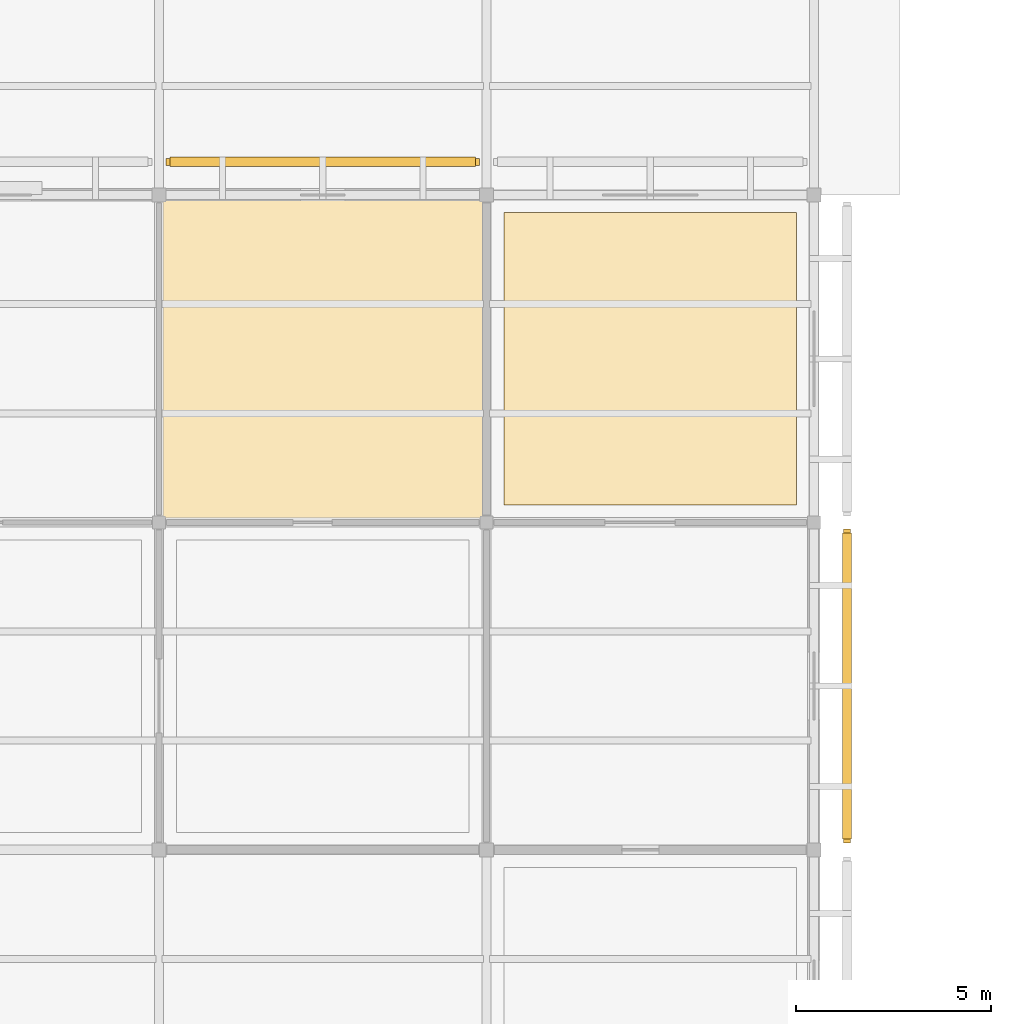
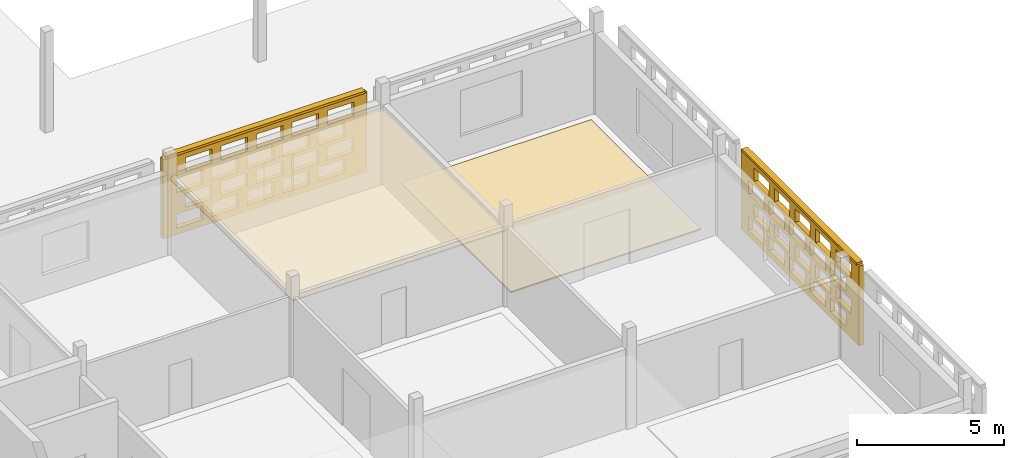
# One storey, part 83 of 103: 4 coverings, 2 shading devices, 40 openings.
"""IFC4 building model written with IfcOpenShell, lengths in metres."""

from ifc_helpers import new_model, si_unit, direction, frame, frame_2d, origin, origin_2d, place, context, subcontext, project, spatial, rectangle, extrude, material, layer, layer_set, type_object, element, save


model = new_model("IFC4")

# Units and contexts
model_context = context("Model", 3, precision=1e-05, world=origin(), true_north=direction((0.0, 1.0)))
body_context = subcontext(model_context, "Body", "Model", "MODEL_VIEW")
ifc_project = project(units=[si_unit("LENGTHUNIT", "METRE"), si_unit("AREAUNIT", "SQUARE_METRE"), si_unit("VOLUMEUNIT", "CUBIC_METRE"), si_unit("PLANEANGLEUNIT", "RADIAN"), si_unit("MASSUNIT", "GRAM", prefix="KILO")], contexts=[model_context])

# Site, building, storey
site_placement = place(None, origin())
site = spatial("IfcSite", under=ifc_project, at=site_placement, CompositionType="ELEMENT")
building_placement = place(site_placement, origin())
building = spatial("IfcBuilding", under=site, at=building_placement, Name="Varnapada Polytechnic", CompositionType="ELEMENT")
storey_placement = place(building_placement, frame((0.0, 0.0, 18.0)))
storey = spatial("IfcBuildingStorey", under=building, at=storey_placement, Name="L04", CompositionType="ELEMENT", Elevation=18.0)

# Coverings
ifc_material_1 = material(Name="End-Grain Timber Studio Block Flooring", Category="wood")
ifc_layer_1 = layer(ifc_material_1, 0.054931640625)
ifc_layer_set_1 = layer_set([ifc_layer_1], Name="End-Grain Timber Studio Block Flooring")
covering_type_1 = type_object("IfcCoveringType", Name="Floor Finish FLR-04", PredefinedType="FLOORING", material=ifc_layer_set_1)
covering_1_placement = place(storey_placement, frame((46.199951171875, 29.39990234375, 0.0), z_axis=(0.0, 0.0, 1.0), x_axis=(1.0, 0.0, 0.0)))
element("IfcCovering", 1, at=covering_1_placement, inside=storey, type_object=covering_type_1, Name="L04 floor finish panel (6,4)", PredefinedType="FLOORING", context=body_context, shape_type="SweptSolid", body=[
    extrude(rectangle(XDim=7.5, YDim=7.5, at=origin_2d()), origin(), (0.0, 0.0, 1.0), 0.054931640625),
])
ifc_material_2 = material(Name="Mineral Fibre Acoustic Ceiling Tile")
ifc_layer_2 = layer(ifc_material_2, 0.0400390625)
ifc_layer_set_2 = layer_set([ifc_layer_2], Name="Mineral Fibre Acoustic Ceiling Tile")
covering_type_2 = type_object("IfcCoveringType", Name="Suspended Ceiling CLG-01", PredefinedType="CEILING", material=ifc_layer_set_2)
covering_2_placement = place(storey_placement, frame((37.800048828125, 29.39990234375, 3.030029296875), z_axis=(0.0, 0.0, 1.0), x_axis=(1.0, 0.0, 0.0)))
element("IfcCovering", 2, at=covering_2_placement, inside=storey, type_object=covering_type_2, Name="L04 suspended acoustic ceiling (5,4)", PredefinedType="CEILING", context=body_context, shape_type="SweptSolid", body=[
    extrude(rectangle(XDim=8.419921875, YDim=8.419921875, at=origin_2d()), origin(), (0.0, 0.0, 1.0), 0.0400390625),
])

# Covering, openings
ifc_material_3 = material(Name="Earth-toned architectural terracotta screen block", Category="masonry")
ifc_layer_3 = layer(ifc_material_3, 0.1201171875)
ifc_layer_set_3 = layer_set([ifc_layer_3], Name="Earth-toned architectural terracotta screen block")
covering_type_3 = type_object("IfcCoveringType", Name="Terracotta Screen Cladding CLD-01", PredefinedType="CLADDING", material=ifc_layer_set_3)
covering_3_placement = place(storey_placement, frame((33.780029296875, 34.449951171875, 0.0), z_axis=(0.0, 0.0, 1.0), x_axis=(1.0, 0.0, 0.0)))
covering_3 = element("IfcCovering", 3, at=covering_3_placement, inside=storey, type_object=covering_type_3, Name="L04 perforated terracotta block screen (35)", PredefinedType="CLADDING", context=body_context, shape_type="SweptSolid", body=[
    extrude(rectangle(XDim=8.0400390625, YDim=0.179931640625, at=frame_2d((4.02001953125, 0.0))), origin(), (0.0, 0.0, 1.0), 3.320068359375),
])
opening_1_placement = place(covering_3_placement, frame((0.52001953125, 0.0, 0.265625)))
element("IfcOpeningElement", 4, at=opening_1_placement, cuts=covering_3, Name="Screen perforation TBS-L04-034.1", PredefinedType="OPENING", context=body_context, shape_type="SweptSolid", body=[
    extrude(rectangle(XDim=1.0400390625, YDim=0.5810546875, at=frame_2d((0.52001953125, 0.29052734375))), frame((0.0, 0.099853515625, 0.0), z_axis=(0.0, -1.0, 0.0), x_axis=(1.0, 0.0, 0.0)), (0.0, 0.0, 1.0), 0.199951171875),
])
opening_2_placement = place(covering_3_placement, frame((1.919921875, 0.0, 0.265625)))
element("IfcOpeningElement", 5, at=opening_2_placement, cuts=covering_3, Name="Screen perforation TBS-L04-034.2", PredefinedType="OPENING", context=body_context, shape_type="SweptSolid", body=[
    extrude(rectangle(XDim=1.0400390625, YDim=0.5810546875, at=frame_2d((0.52001953125, 0.29052734375))), frame((0.0, 0.099853515625, 0.0), z_axis=(0.0, -1.0, 0.0), x_axis=(1.0, 0.0, 0.0)), (0.0, 0.0, 1.0), 0.199951171875),
])
opening_3_placement = place(covering_3_placement, frame((3.320068359375, 0.0, 0.265625)))
element("IfcOpeningElement", 6, at=opening_3_placement, cuts=covering_3, Name="Screen perforation TBS-L04-034.3", PredefinedType="OPENING", context=body_context, shape_type="SweptSolid", body=[
    extrude(rectangle(XDim=1.0400390625, YDim=0.5810546875, at=frame_2d((0.52001953125, 0.29052734375))), frame((0.0, 0.099853515625, 0.0), z_axis=(0.0, -1.0, 0.0), x_axis=(1.0, 0.0, 0.0)), (0.0, 0.0, 1.0), 0.199951171875),
])
opening_4_placement = place(covering_3_placement, frame((4.719970703125, 0.0, 0.265625)))
element("IfcOpeningElement", 7, at=opening_4_placement, cuts=covering_3, Name="Screen perforation TBS-L04-034.4", PredefinedType="OPENING", context=body_context, shape_type="SweptSolid", body=[
    extrude(rectangle(XDim=1.0400390625, YDim=0.5810546875, at=frame_2d((0.52001953125, 0.29052734375))), frame((0.0, 0.099853515625, 0.0), z_axis=(0.0, -1.0, 0.0), x_axis=(1.0, 0.0, 0.0)), (0.0, 0.0, 1.0), 0.199951171875),
])
opening_5_placement = place(covering_3_placement, frame((6.1201171875, 0.0, 0.265625)))
element("IfcOpeningElement", 8, at=opening_5_placement, cuts=covering_3, Name="Screen perforation TBS-L04-034.5", PredefinedType="OPENING", context=body_context, shape_type="SweptSolid", body=[
    extrude(rectangle(XDim=1.0400390625, YDim=0.5810546875, at=frame_2d((0.52001953125, 0.29052734375))), frame((0.0, 0.099853515625, 0.0), z_axis=(0.0, -1.0, 0.0), x_axis=(1.0, 0.0, 0.0)), (0.0, 0.0, 1.0), 0.199951171875),
])
opening_6_placement = place(covering_3_placement, frame((0.8798828125, 0.0, 1.0126953125)))
element("IfcOpeningElement", 9, at=opening_6_placement, cuts=covering_3, Name="Screen perforation TBS-L04-034.6", PredefinedType="OPENING", context=body_context, shape_type="SweptSolid", body=[
    extrude(rectangle(XDim=1.0400390625, YDim=0.5810546875, at=frame_2d((0.52001953125, 0.29052734375))), frame((0.0, 0.099853515625, 0.0), z_axis=(0.0, -1.0, 0.0), x_axis=(1.0, 0.0, 0.0)), (0.0, 0.0, 1.0), 0.199951171875),
])
opening_7_placement = place(covering_3_placement, frame((2.280029296875, 0.0, 1.0126953125)))
element("IfcOpeningElement", 10, at=opening_7_placement, cuts=covering_3, Name="Screen perforation TBS-L04-034.7", PredefinedType="OPENING", context=body_context, shape_type="SweptSolid", body=[
    extrude(rectangle(XDim=1.0400390625, YDim=0.5810546875, at=frame_2d((0.52001953125, 0.29052734375))), frame((0.0, 0.099853515625, 0.0), z_axis=(0.0, -1.0, 0.0), x_axis=(1.0, 0.0, 0.0)), (0.0, 0.0, 1.0), 0.199951171875),
])
opening_8_placement = place(covering_3_placement, frame((3.679931640625, 0.0, 1.0126953125)))
element("IfcOpeningElement", 11, at=opening_8_placement, cuts=covering_3, Name="Screen perforation TBS-L04-034.8", PredefinedType="OPENING", context=body_context, shape_type="SweptSolid", body=[
    extrude(rectangle(XDim=1.0400390625, YDim=0.5810546875, at=frame_2d((0.52001953125, 0.29052734375))), frame((0.0, 0.099853515625, 0.0), z_axis=(0.0, -1.0, 0.0), x_axis=(1.0, 0.0, 0.0)), (0.0, 0.0, 1.0), 0.199951171875),
])
opening_9_placement = place(covering_3_placement, frame((5.080078125, 0.0, 1.0126953125)))
element("IfcOpeningElement", 12, at=opening_9_placement, cuts=covering_3, Name="Screen perforation TBS-L04-034.9", PredefinedType="OPENING", context=body_context, shape_type="SweptSolid", body=[
    extrude(rectangle(XDim=1.0400390625, YDim=0.5810546875, at=frame_2d((0.52001953125, 0.29052734375))), frame((0.0, 0.099853515625, 0.0), z_axis=(0.0, -1.0, 0.0), x_axis=(1.0, 0.0, 0.0)), (0.0, 0.0, 1.0), 0.199951171875),
])
opening_10_placement = place(covering_3_placement, frame((6.47998046875, 0.0, 1.0126953125)))
element("IfcOpeningElement", 13, at=opening_10_placement, cuts=covering_3, Name="Screen perforation TBS-L04-034.10", PredefinedType="OPENING", context=body_context, shape_type="SweptSolid", body=[
    extrude(rectangle(XDim=1.0400390625, YDim=0.5810546875, at=frame_2d((0.52001953125, 0.29052734375))), frame((0.0, 0.099853515625, 0.0), z_axis=(0.0, -1.0, 0.0), x_axis=(1.0, 0.0, 0.0)), (0.0, 0.0, 1.0), 0.199951171875),
])
opening_11_placement = place(covering_3_placement, frame((0.52001953125, 0.0, 1.759521484375)))
element("IfcOpeningElement", 14, at=opening_11_placement, cuts=covering_3, Name="Screen perforation TBS-L04-034.11", PredefinedType="OPENING", context=body_context, shape_type="SweptSolid", body=[
    extrude(rectangle(XDim=1.0400390625, YDim=0.5810546875, at=frame_2d((0.52001953125, 0.29052734375))), frame((0.0, 0.099853515625, 0.0), z_axis=(0.0, -1.0, 0.0), x_axis=(1.0, 0.0, 0.0)), (0.0, 0.0, 1.0), 0.199951171875),
])
opening_12_placement = place(covering_3_placement, frame((1.919921875, 0.0, 1.759521484375)))
element("IfcOpeningElement", 15, at=opening_12_placement, cuts=covering_3, Name="Screen perforation TBS-L04-034.12", PredefinedType="OPENING", context=body_context, shape_type="SweptSolid", body=[
    extrude(rectangle(XDim=1.0400390625, YDim=0.5810546875, at=frame_2d((0.52001953125, 0.29052734375))), frame((0.0, 0.099853515625, 0.0), z_axis=(0.0, -1.0, 0.0), x_axis=(1.0, 0.0, 0.0)), (0.0, 0.0, 1.0), 0.199951171875),
])
opening_13_placement = place(covering_3_placement, frame((3.320068359375, 0.0, 1.759521484375)))
element("IfcOpeningElement", 16, at=opening_13_placement, cuts=covering_3, Name="Screen perforation TBS-L04-034.13", PredefinedType="OPENING", context=body_context, shape_type="SweptSolid", body=[
    extrude(rectangle(XDim=1.0400390625, YDim=0.5810546875, at=frame_2d((0.52001953125, 0.29052734375))), frame((0.0, 0.099853515625, 0.0), z_axis=(0.0, -1.0, 0.0), x_axis=(1.0, 0.0, 0.0)), (0.0, 0.0, 1.0), 0.199951171875),
])
opening_14_placement = place(covering_3_placement, frame((4.719970703125, 0.0, 1.759521484375)))
element("IfcOpeningElement", 17, at=opening_14_placement, cuts=covering_3, Name="Screen perforation TBS-L04-034.14", PredefinedType="OPENING", context=body_context, shape_type="SweptSolid", body=[
    extrude(rectangle(XDim=1.0400390625, YDim=0.5810546875, at=frame_2d((0.52001953125, 0.29052734375))), frame((0.0, 0.099853515625, 0.0), z_axis=(0.0, -1.0, 0.0), x_axis=(1.0, 0.0, 0.0)), (0.0, 0.0, 1.0), 0.199951171875),
])
opening_15_placement = place(covering_3_placement, frame((6.1201171875, 0.0, 1.759521484375)))
element("IfcOpeningElement", 18, at=opening_15_placement, cuts=covering_3, Name="Screen perforation TBS-L04-034.15", PredefinedType="OPENING", context=body_context, shape_type="SweptSolid", body=[
    extrude(rectangle(XDim=1.0400390625, YDim=0.5810546875, at=frame_2d((0.52001953125, 0.29052734375))), frame((0.0, 0.099853515625, 0.0), z_axis=(0.0, -1.0, 0.0), x_axis=(1.0, 0.0, 0.0)), (0.0, 0.0, 1.0), 0.199951171875),
])
opening_16_placement = place(covering_3_placement, frame((0.8798828125, 0.0, 2.506591796875)))
element("IfcOpeningElement", 19, at=opening_16_placement, cuts=covering_3, Name="Screen perforation TBS-L04-034.16", PredefinedType="OPENING", context=body_context, shape_type="SweptSolid", body=[
    extrude(rectangle(XDim=1.0400390625, YDim=0.5810546875, at=frame_2d((0.52001953125, 0.29052734375))), frame((0.0, 0.099853515625, 0.0), z_axis=(0.0, -1.0, 0.0), x_axis=(1.0, 0.0, 0.0)), (0.0, 0.0, 1.0), 0.199951171875),
])
opening_17_placement = place(covering_3_placement, frame((2.280029296875, 0.0, 2.506591796875)))
element("IfcOpeningElement", 20, at=opening_17_placement, cuts=covering_3, Name="Screen perforation TBS-L04-034.17", PredefinedType="OPENING", context=body_context, shape_type="SweptSolid", body=[
    extrude(rectangle(XDim=1.0400390625, YDim=0.5810546875, at=frame_2d((0.52001953125, 0.29052734375))), frame((0.0, 0.099853515625, 0.0), z_axis=(0.0, -1.0, 0.0), x_axis=(1.0, 0.0, 0.0)), (0.0, 0.0, 1.0), 0.199951171875),
])
opening_18_placement = place(covering_3_placement, frame((3.679931640625, 0.0, 2.506591796875)))
element("IfcOpeningElement", 21, at=opening_18_placement, cuts=covering_3, Name="Screen perforation TBS-L04-034.18", PredefinedType="OPENING", context=body_context, shape_type="SweptSolid", body=[
    extrude(rectangle(XDim=1.0400390625, YDim=0.5810546875, at=frame_2d((0.52001953125, 0.29052734375))), frame((0.0, 0.099853515625, 0.0), z_axis=(0.0, -1.0, 0.0), x_axis=(1.0, 0.0, 0.0)), (0.0, 0.0, 1.0), 0.199951171875),
])
opening_19_placement = place(covering_3_placement, frame((5.080078125, 0.0, 2.506591796875)))
element("IfcOpeningElement", 22, at=opening_19_placement, cuts=covering_3, Name="Screen perforation TBS-L04-034.19", PredefinedType="OPENING", context=body_context, shape_type="SweptSolid", body=[
    extrude(rectangle(XDim=1.0400390625, YDim=0.5810546875, at=frame_2d((0.52001953125, 0.29052734375))), frame((0.0, 0.099853515625, 0.0), z_axis=(0.0, -1.0, 0.0), x_axis=(1.0, 0.0, 0.0)), (0.0, 0.0, 1.0), 0.199951171875),
])
opening_20_placement = place(covering_3_placement, frame((6.47998046875, 0.0, 2.506591796875)))
element("IfcOpeningElement", 23, at=opening_20_placement, cuts=covering_3, Name="Screen perforation TBS-L04-034.20", PredefinedType="OPENING", context=body_context, shape_type="SweptSolid", body=[
    extrude(rectangle(XDim=1.0400390625, YDim=0.5810546875, at=frame_2d((0.52001953125, 0.29052734375))), frame((0.0, 0.099853515625, 0.0), z_axis=(0.0, -1.0, 0.0), x_axis=(1.0, 0.0, 0.0)), (0.0, 0.0, 1.0), 0.199951171875),
])

covering_4_placement = place(storey_placement, frame((51.25, 25.030029296875, 0.0), z_axis=(0.0, 0.0, 1.0), x_axis=(0.0, -1.0, 0.0)))
covering_4 = element("IfcCovering", 24, at=covering_4_placement, inside=storey, type_object=covering_type_3, Name="L04 perforated terracotta block screen (38)", PredefinedType="CLADDING", context=body_context, shape_type="SweptSolid", body=[
    extrude(rectangle(XDim=8.050048828125, YDim=0.179931640625, at=frame_2d((4.02490234375, 0.0))), origin(), (0.0, 0.0, 1.0), 3.320068359375),
])
opening_21_placement = place(covering_4_placement, frame((0.52490234375, 0.0, 0.265625)))
element("IfcOpeningElement", 25, at=opening_21_placement, cuts=covering_4, Name="Screen perforation TBS-L04-037.1", PredefinedType="OPENING", context=body_context, shape_type="SweptSolid", body=[
    extrude(rectangle(XDim=1.0400390625, YDim=0.5810546875, at=frame_2d((0.52001953125, 0.29052734375))), frame((0.0, 0.099853515625, 0.0), z_axis=(0.0, -1.0, 0.0), x_axis=(1.0, 0.0, 0.0)), (0.0, 0.0, 1.0), 0.199951171875),
])
opening_22_placement = place(covering_4_placement, frame((1.925048828125, 0.0, 0.265625)))
element("IfcOpeningElement", 26, at=opening_22_placement, cuts=covering_4, Name="Screen perforation TBS-L04-037.2", PredefinedType="OPENING", context=body_context, shape_type="SweptSolid", body=[
    extrude(rectangle(XDim=1.0400390625, YDim=0.5810546875, at=frame_2d((0.52001953125, 0.29052734375))), frame((0.0, 0.099853515625, 0.0), z_axis=(0.0, -1.0, 0.0), x_axis=(1.0, 0.0, 0.0)), (0.0, 0.0, 1.0), 0.199951171875),
])
opening_23_placement = place(covering_4_placement, frame((3.324951171875, 0.0, 0.265625)))
element("IfcOpeningElement", 27, at=opening_23_placement, cuts=covering_4, Name="Screen perforation TBS-L04-037.3", PredefinedType="OPENING", context=body_context, shape_type="SweptSolid", body=[
    extrude(rectangle(XDim=1.0400390625, YDim=0.5810546875, at=frame_2d((0.52001953125, 0.29052734375))), frame((0.0, 0.099853515625, 0.0), z_axis=(0.0, -1.0, 0.0), x_axis=(1.0, 0.0, 0.0)), (0.0, 0.0, 1.0), 0.199951171875),
])
opening_24_placement = place(covering_4_placement, frame((4.72509765625, 0.0, 0.265625)))
element("IfcOpeningElement", 28, at=opening_24_placement, cuts=covering_4, Name="Screen perforation TBS-L04-037.4", PredefinedType="OPENING", context=body_context, shape_type="SweptSolid", body=[
    extrude(rectangle(XDim=1.0400390625, YDim=0.5810546875, at=frame_2d((0.52001953125, 0.29052734375))), frame((0.0, 0.099853515625, 0.0), z_axis=(0.0, -1.0, 0.0), x_axis=(1.0, 0.0, 0.0)), (0.0, 0.0, 1.0), 0.199951171875),
])
opening_25_placement = place(covering_4_placement, frame((6.125, 0.0, 0.265625)))
element("IfcOpeningElement", 29, at=opening_25_placement, cuts=covering_4, Name="Screen perforation TBS-L04-037.5", PredefinedType="OPENING", context=body_context, shape_type="SweptSolid", body=[
    extrude(rectangle(XDim=1.0400390625, YDim=0.5810546875, at=frame_2d((0.52001953125, 0.29052734375))), frame((0.0, 0.099853515625, 0.0), z_axis=(0.0, -1.0, 0.0), x_axis=(1.0, 0.0, 0.0)), (0.0, 0.0, 1.0), 0.199951171875),
])
opening_26_placement = place(covering_4_placement, frame((0.885009765625, 0.0, 1.0126953125)))
element("IfcOpeningElement", 30, at=opening_26_placement, cuts=covering_4, Name="Screen perforation TBS-L04-037.6", PredefinedType="OPENING", context=body_context, shape_type="SweptSolid", body=[
    extrude(rectangle(XDim=1.0400390625, YDim=0.5810546875, at=frame_2d((0.52001953125, 0.29052734375))), frame((0.0, 0.099853515625, 0.0), z_axis=(0.0, -1.0, 0.0), x_axis=(1.0, 0.0, 0.0)), (0.0, 0.0, 1.0), 0.199951171875),
])
opening_27_placement = place(covering_4_placement, frame((2.284912109375, 0.0, 1.0126953125)))
element("IfcOpeningElement", 31, at=opening_27_placement, cuts=covering_4, Name="Screen perforation TBS-L04-037.7", PredefinedType="OPENING", context=body_context, shape_type="SweptSolid", body=[
    extrude(rectangle(XDim=1.0400390625, YDim=0.5810546875, at=frame_2d((0.52001953125, 0.29052734375))), frame((0.0, 0.099853515625, 0.0), z_axis=(0.0, -1.0, 0.0), x_axis=(1.0, 0.0, 0.0)), (0.0, 0.0, 1.0), 0.199951171875),
])
opening_28_placement = place(covering_4_placement, frame((3.68505859375, 0.0, 1.0126953125)))
element("IfcOpeningElement", 32, at=opening_28_placement, cuts=covering_4, Name="Screen perforation TBS-L04-037.8", PredefinedType="OPENING", context=body_context, shape_type="SweptSolid", body=[
    extrude(rectangle(XDim=1.0400390625, YDim=0.5810546875, at=frame_2d((0.52001953125, 0.29052734375))), frame((0.0, 0.099853515625, 0.0), z_axis=(0.0, -1.0, 0.0), x_axis=(1.0, 0.0, 0.0)), (0.0, 0.0, 1.0), 0.199951171875),
])
opening_29_placement = place(covering_4_placement, frame((5.0849609375, 0.0, 1.0126953125)))
element("IfcOpeningElement", 33, at=opening_29_placement, cuts=covering_4, Name="Screen perforation TBS-L04-037.9", PredefinedType="OPENING", context=body_context, shape_type="SweptSolid", body=[
    extrude(rectangle(XDim=1.0400390625, YDim=0.5810546875, at=frame_2d((0.52001953125, 0.29052734375))), frame((0.0, 0.099853515625, 0.0), z_axis=(0.0, -1.0, 0.0), x_axis=(1.0, 0.0, 0.0)), (0.0, 0.0, 1.0), 0.199951171875),
])
opening_30_placement = place(covering_4_placement, frame((6.485107421875, 0.0, 1.0126953125)))
element("IfcOpeningElement", 34, at=opening_30_placement, cuts=covering_4, Name="Screen perforation TBS-L04-037.10", PredefinedType="OPENING", context=body_context, shape_type="SweptSolid", body=[
    extrude(rectangle(XDim=1.0400390625, YDim=0.5810546875, at=frame_2d((0.52001953125, 0.29052734375))), frame((0.0, 0.099853515625, 0.0), z_axis=(0.0, -1.0, 0.0), x_axis=(1.0, 0.0, 0.0)), (0.0, 0.0, 1.0), 0.199951171875),
])
opening_31_placement = place(covering_4_placement, frame((0.52490234375, 0.0, 1.759521484375)))
element("IfcOpeningElement", 35, at=opening_31_placement, cuts=covering_4, Name="Screen perforation TBS-L04-037.11", PredefinedType="OPENING", context=body_context, shape_type="SweptSolid", body=[
    extrude(rectangle(XDim=1.0400390625, YDim=0.5810546875, at=frame_2d((0.52001953125, 0.29052734375))), frame((0.0, 0.099853515625, 0.0), z_axis=(0.0, -1.0, 0.0), x_axis=(1.0, 0.0, 0.0)), (0.0, 0.0, 1.0), 0.199951171875),
])
opening_32_placement = place(covering_4_placement, frame((1.925048828125, 0.0, 1.759521484375)))
element("IfcOpeningElement", 36, at=opening_32_placement, cuts=covering_4, Name="Screen perforation TBS-L04-037.12", PredefinedType="OPENING", context=body_context, shape_type="SweptSolid", body=[
    extrude(rectangle(XDim=1.0400390625, YDim=0.5810546875, at=frame_2d((0.52001953125, 0.29052734375))), frame((0.0, 0.099853515625, 0.0), z_axis=(0.0, -1.0, 0.0), x_axis=(1.0, 0.0, 0.0)), (0.0, 0.0, 1.0), 0.199951171875),
])
opening_33_placement = place(covering_4_placement, frame((3.324951171875, 0.0, 1.759521484375)))
element("IfcOpeningElement", 37, at=opening_33_placement, cuts=covering_4, Name="Screen perforation TBS-L04-037.13", PredefinedType="OPENING", context=body_context, shape_type="SweptSolid", body=[
    extrude(rectangle(XDim=1.0400390625, YDim=0.5810546875, at=frame_2d((0.52001953125, 0.29052734375))), frame((0.0, 0.099853515625, 0.0), z_axis=(0.0, -1.0, 0.0), x_axis=(1.0, 0.0, 0.0)), (0.0, 0.0, 1.0), 0.199951171875),
])
opening_34_placement = place(covering_4_placement, frame((4.72509765625, 0.0, 1.759521484375)))
element("IfcOpeningElement", 38, at=opening_34_placement, cuts=covering_4, Name="Screen perforation TBS-L04-037.14", PredefinedType="OPENING", context=body_context, shape_type="SweptSolid", body=[
    extrude(rectangle(XDim=1.0400390625, YDim=0.5810546875, at=frame_2d((0.52001953125, 0.29052734375))), frame((0.0, 0.099853515625, 0.0), z_axis=(0.0, -1.0, 0.0), x_axis=(1.0, 0.0, 0.0)), (0.0, 0.0, 1.0), 0.199951171875),
])
opening_35_placement = place(covering_4_placement, frame((6.125, 0.0, 1.759521484375)))
element("IfcOpeningElement", 39, at=opening_35_placement, cuts=covering_4, Name="Screen perforation TBS-L04-037.15", PredefinedType="OPENING", context=body_context, shape_type="SweptSolid", body=[
    extrude(rectangle(XDim=1.0400390625, YDim=0.5810546875, at=frame_2d((0.52001953125, 0.29052734375))), frame((0.0, 0.099853515625, 0.0), z_axis=(0.0, -1.0, 0.0), x_axis=(1.0, 0.0, 0.0)), (0.0, 0.0, 1.0), 0.199951171875),
])
opening_36_placement = place(covering_4_placement, frame((0.885009765625, 0.0, 2.506591796875)))
element("IfcOpeningElement", 40, at=opening_36_placement, cuts=covering_4, Name="Screen perforation TBS-L04-037.16", PredefinedType="OPENING", context=body_context, shape_type="SweptSolid", body=[
    extrude(rectangle(XDim=1.0400390625, YDim=0.5810546875, at=frame_2d((0.52001953125, 0.29052734375))), frame((0.0, 0.099853515625, 0.0), z_axis=(0.0, -1.0, 0.0), x_axis=(1.0, 0.0, 0.0)), (0.0, 0.0, 1.0), 0.199951171875),
])
opening_37_placement = place(covering_4_placement, frame((2.284912109375, 0.0, 2.506591796875)))
element("IfcOpeningElement", 41, at=opening_37_placement, cuts=covering_4, Name="Screen perforation TBS-L04-037.17", PredefinedType="OPENING", context=body_context, shape_type="SweptSolid", body=[
    extrude(rectangle(XDim=1.0400390625, YDim=0.5810546875, at=frame_2d((0.52001953125, 0.29052734375))), frame((0.0, 0.099853515625, 0.0), z_axis=(0.0, -1.0, 0.0), x_axis=(1.0, 0.0, 0.0)), (0.0, 0.0, 1.0), 0.199951171875),
])
opening_38_placement = place(covering_4_placement, frame((3.68505859375, 0.0, 2.506591796875)))
element("IfcOpeningElement", 42, at=opening_38_placement, cuts=covering_4, Name="Screen perforation TBS-L04-037.18", PredefinedType="OPENING", context=body_context, shape_type="SweptSolid", body=[
    extrude(rectangle(XDim=1.0400390625, YDim=0.5810546875, at=frame_2d((0.52001953125, 0.29052734375))), frame((0.0, 0.099853515625, 0.0), z_axis=(0.0, -1.0, 0.0), x_axis=(1.0, 0.0, 0.0)), (0.0, 0.0, 1.0), 0.199951171875),
])
opening_39_placement = place(covering_4_placement, frame((5.0849609375, 0.0, 2.506591796875)))
element("IfcOpeningElement", 43, at=opening_39_placement, cuts=covering_4, Name="Screen perforation TBS-L04-037.19", PredefinedType="OPENING", context=body_context, shape_type="SweptSolid", body=[
    extrude(rectangle(XDim=1.0400390625, YDim=0.5810546875, at=frame_2d((0.52001953125, 0.29052734375))), frame((0.0, 0.099853515625, 0.0), z_axis=(0.0, -1.0, 0.0), x_axis=(1.0, 0.0, 0.0)), (0.0, 0.0, 1.0), 0.199951171875),
])
opening_40_placement = place(covering_4_placement, frame((6.485107421875, 0.0, 2.506591796875)))
element("IfcOpeningElement", 44, at=opening_40_placement, cuts=covering_4, Name="Screen perforation TBS-L04-037.20", PredefinedType="OPENING", context=body_context, shape_type="SweptSolid", body=[
    extrude(rectangle(XDim=1.0400390625, YDim=0.5810546875, at=frame_2d((0.52001953125, 0.29052734375))), frame((0.0, 0.099853515625, 0.0), z_axis=(0.0, -1.0, 0.0), x_axis=(1.0, 0.0, 0.0)), (0.0, 0.0, 1.0), 0.199951171875),
])

# Shading devices
ifc_layer_4 = layer(ifc_material_3, 0.179931640625)
ifc_layer_set_4 = layer_set([ifc_layer_4], Name="Earth-toned architectural terracotta screen block")
shading_device_type = type_object("IfcShadingDeviceType", Name="Terracotta Screen SCR-01", PredefinedType="USERDEFINED", material=ifc_layer_set_4)
shading_device_1_placement = place(storey_placement, frame((37.800048828125, 34.449951171875, 3.31005859375), z_axis=(0.0, 0.0, 1.0), x_axis=(1.0, 0.0, 0.0)))
element("IfcShadingDevice", 45, at=shading_device_1_placement, inside=storey, type_object=shading_device_type, Name="L04 perforated terracotta screen hood 454", ObjectType="SCREEN", PredefinedType="USERDEFINED", context=body_context, shape_type="SweptSolid", body=[
    extrude(rectangle(XDim=7.840087890625, YDim=0.239990234375, at=origin_2d()), origin(), (0.0, 0.0, 1.0), 0.10009765625),
])
shading_device_2_placement = place(storey_placement, frame((51.25, 21.0048828125, 3.31005859375), z_axis=(0.0, 0.0, 1.0), x_axis=(0.0, -1.0, 0.0)))
element("IfcShadingDevice", 46, at=shading_device_2_placement, inside=storey, type_object=shading_device_type, Name="L04 perforated terracotta screen hood 457", ObjectType="SCREEN", PredefinedType="USERDEFINED", context=body_context, shape_type="SweptSolid", body=[
    extrude(rectangle(XDim=7.85009765625, YDim=0.239990234375, at=origin_2d()), origin(), (0.0, 0.0, 1.0), 0.10009765625),
])

save(model, "model.ifc")
